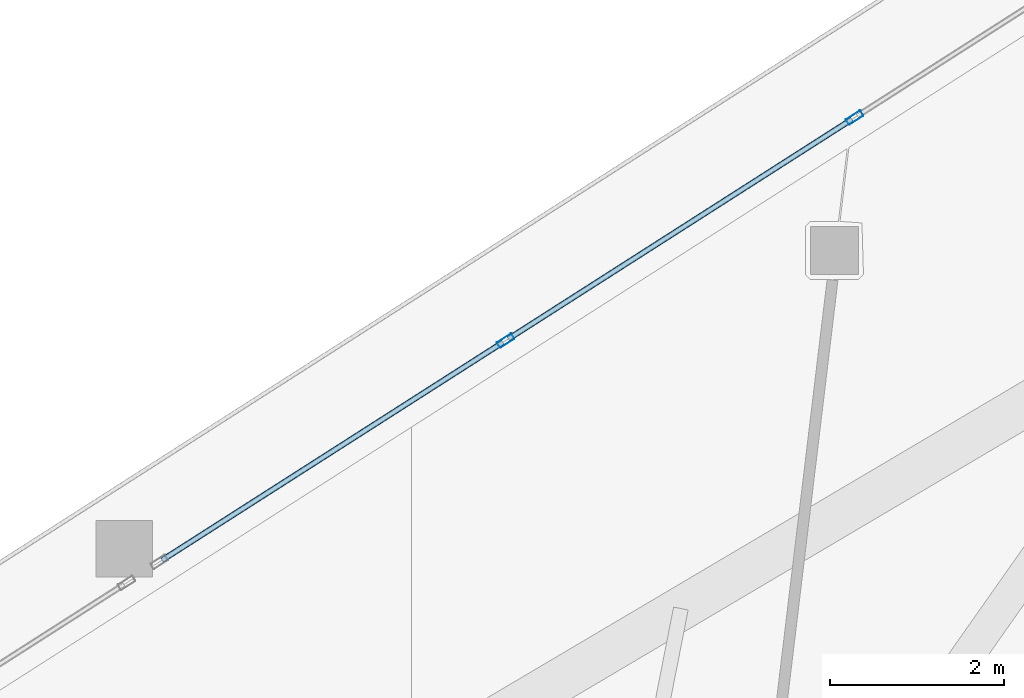
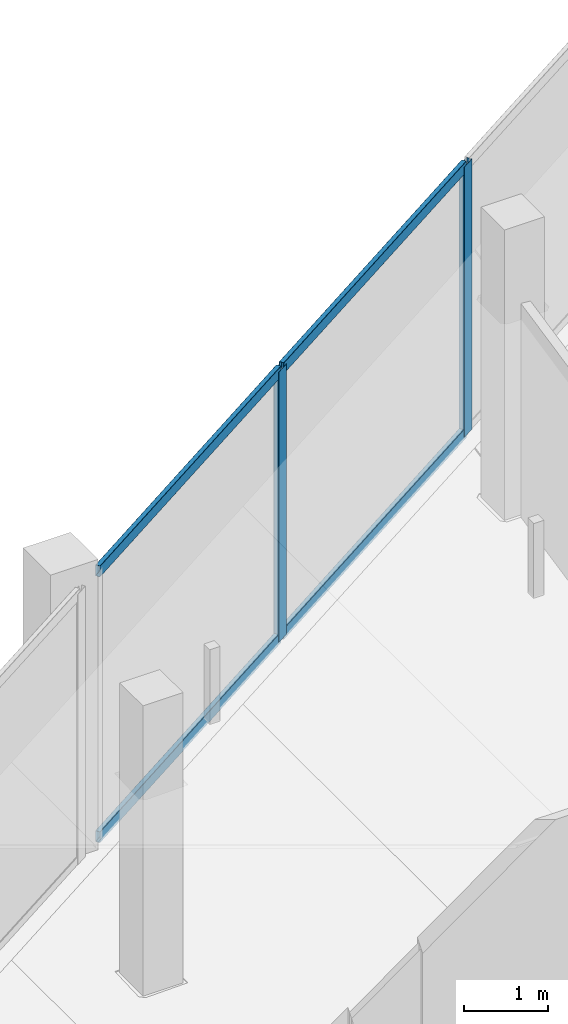
# One storey, part 14 of 31: 6 members, 1 element without a shape of its own.
"""IFC4 building model written with IfcOpenShell, lengths in metres."""

from ifc_helpers import new_model, si_unit, direction, frame, origin, origin_2d, place, context, subcontext, project, spatial, hollow_rectangle, extrude, material, layer, layer_set, material_profile, profile_set, type_object, element, aggregate, save


model = new_model("IFC4")

# Units and contexts
model_context = context("Model", 3, precision=1e-05, world=origin(), true_north=direction((0.0, 1.0)))
body_context = subcontext(model_context, "Body", "Model", "MODEL_VIEW")
ifc_project = project(units=[si_unit("LENGTHUNIT", "METRE"), si_unit("AREAUNIT", "SQUARE_METRE"), si_unit("VOLUMEUNIT", "CUBIC_METRE"), si_unit("PLANEANGLEUNIT", "RADIAN"), si_unit("MASSUNIT", "GRAM", prefix="KILO")], contexts=[model_context])

# Site, building, storey
site_placement = place(None, origin())
site = spatial("IfcSite", under=ifc_project, at=site_placement, CompositionType="ELEMENT")
building_placement = place(site_placement, origin())
building = spatial("IfcBuilding", under=site, at=building_placement, Name="Qorvath Tower", CompositionType="ELEMENT")
storey_placement = place(building_placement, frame((0.0, 0.0, 259.800048828125)))
storey = spatial("IfcBuildingStorey", under=building, at=storey_placement, Name="L60", CompositionType="ELEMENT", Elevation=259.800048828125)

# Curtain wall, members
ifc_material_1 = material(Name="Anodised aluminium and triple low-E glass", Category="aluminium")
ifc_layer = layer(ifc_material_1, 0.179931640625)
ifc_layer_set = layer_set([ifc_layer], Name="CW-SYS-4")
curtain_wall_type = type_object("IfcCurtainWallType", Name="CW-SYS-4", PredefinedType="NOTDEFINED", material=ifc_layer_set)
curtain_wall_placement = place(storey_placement, origin())
curtain_wall = element("IfcCurtainWall", 1, at=curtain_wall_placement, inside=storey, type_object=curtain_wall_type, Name="Curtain Wall CW-4 CW-T-L60-16.1", PredefinedType="NOTDEFINED")
ifc_material_2 = material(Name="Anodised aluminium 6063-T6", Category="aluminium")
ifc_material_profile_1 = material_profile(ifc_material_2, hollow_rectangle(XDim=0.074951171875, YDim=0.199951171875, WallThickness=0.00390625, InnerFilletRadius=0.00390625, OuterFilletRadius=0.008056640625, at=origin_2d()), Name="CWM 200x75")
ifc_profile_set_1 = profile_set([ifc_material_profile_1], Name="Anodised aluminium 6063-T6")
member_type_1 = type_object("IfcMemberType", Name="CWM-200", PredefinedType="MULLION", material=ifc_profile_set_1)
member_1_placement = place(storey_placement, frame((-21.820068359375, 22.025146484375, 0.0), z_axis=(0.0, 0.0, 1.0), x_axis=(0.538522903218, -0.842610872651, 0.0)))
member_1 = element("IfcMember", 2, at=member_1_placement, type_object=member_type_1, Name="CW-4 mullion 2", PredefinedType="MULLION", context=body_context, shape_type="SweptSolid", body=[
    extrude(hollow_rectangle(XDim=0.074951171875, YDim=0.199951171875, WallThickness=0.00390625, InnerFilletRadius=0.00390625, OuterFilletRadius=0.008056640625, at=origin_2d()), origin(), (0.0, 0.0, 1.0), 3.909912109375),
])
member_2_placement = place(storey_placement, frame((-25.83740234375, 19.45751953125, 0.0), z_axis=(0.0, 0.0, 1.0), x_axis=(0.538522903218, -0.842610872651, 0.0)))
member_2 = element("IfcMember", 3, at=member_2_placement, type_object=member_type_1, Name="CW-4 mullion 3", PredefinedType="MULLION", context=body_context, shape_type="SweptSolid", body=[
    extrude(hollow_rectangle(XDim=0.074951171875, YDim=0.199951171875, WallThickness=0.00390625, InnerFilletRadius=0.00390625, OuterFilletRadius=0.008056640625, at=origin_2d()), origin(), (0.0, 0.0, 1.0), 3.909912109375),
])
ifc_material_3 = material(Name="Anodised aluminium 6063-T6", Category="aluminium")
ifc_material_profile_2 = material_profile(ifc_material_3, hollow_rectangle(XDim=0.06494140625, YDim=0.159912109375, WallThickness=0.00341796875, InnerFilletRadius=0.00341796875, OuterFilletRadius=0.007080078125, at=origin_2d()), Name="CWT 160x65")
ifc_profile_set_2 = profile_set([ifc_material_profile_2], Name="Anodised aluminium 6063-T6")
member_type_2 = type_object("IfcMemberType", Name="CWT-160", PredefinedType="USERDEFINED", material=ifc_profile_set_2)
member_3_placement = place(storey_placement, frame((-21.8515625, 22.0048828125, 0.032470703125), z_axis=(-0.84262741064, -0.53849702584, 0.0), x_axis=(0.53849702584, -0.84262741064, 0.0)))
member_3 = element("IfcMember", 4, at=member_3_placement, type_object=member_type_2, Name="CW-4 transom 2.1", ObjectType="TRANSOM", PredefinedType="USERDEFINED", context=body_context, shape_type="SweptSolid", body=[
    extrude(hollow_rectangle(XDim=0.06494140625, YDim=0.159912109375, WallThickness=0.00341796875, InnerFilletRadius=0.00341796875, OuterFilletRadius=0.007080078125, at=origin_2d()), origin(), (0.0, 0.0, 1.0), 4.69287109375),
])
member_4_placement = place(storey_placement, frame((-21.8515625, 22.0048828125, 3.87744140625), z_axis=(-0.84262741064, -0.53849702584, 0.0), x_axis=(0.53849702584, -0.84262741064, 0.0)))
member_4 = element("IfcMember", 5, at=member_4_placement, type_object=member_type_2, Name="CW-4 transom 2.2", ObjectType="TRANSOM", PredefinedType="USERDEFINED", context=body_context, shape_type="SweptSolid", body=[
    extrude(hollow_rectangle(XDim=0.06494140625, YDim=0.159912109375, WallThickness=0.00341796875, InnerFilletRadius=0.00341796875, OuterFilletRadius=0.007080078125, at=origin_2d()), origin(), (0.0, 0.0, 1.0), 4.69287109375),
])
member_5_placement = place(storey_placement, frame((-25.869140625, 19.437255859375, 0.032470703125), z_axis=(-0.842601734478, -0.53853720118, 0.0), x_axis=(0.53853720118, -0.842601734478, 0.0)))
member_5 = element("IfcMember", 6, at=member_5_placement, type_object=member_type_2, Name="CW-4 transom 3.1", ObjectType="TRANSOM", PredefinedType="USERDEFINED", context=body_context, shape_type="SweptSolid", body=[
    extrude(hollow_rectangle(XDim=0.06494140625, YDim=0.159912109375, WallThickness=0.00341796875, InnerFilletRadius=0.00341796875, OuterFilletRadius=0.007080078125, at=origin_2d()), origin(), (0.0, 0.0, 1.0), 4.6552734375),
])
member_6_placement = place(storey_placement, frame((-25.869140625, 19.437255859375, 3.87744140625), z_axis=(-0.842601734478, -0.53853720118, 0.0), x_axis=(0.53853720118, -0.842601734478, 0.0)))
member_6 = element("IfcMember", 7, at=member_6_placement, type_object=member_type_2, Name="CW-4 transom 3.2", ObjectType="TRANSOM", PredefinedType="USERDEFINED", context=body_context, shape_type="SweptSolid", body=[
    extrude(hollow_rectangle(XDim=0.06494140625, YDim=0.159912109375, WallThickness=0.00341796875, InnerFilletRadius=0.00341796875, OuterFilletRadius=0.007080078125, at=origin_2d()), origin(), (0.0, 0.0, 1.0), 4.6552734375),
])
aggregate(curtain_wall, [member_1, member_2, member_3, member_4, member_5, member_6])

save(model, "model.ifc")
